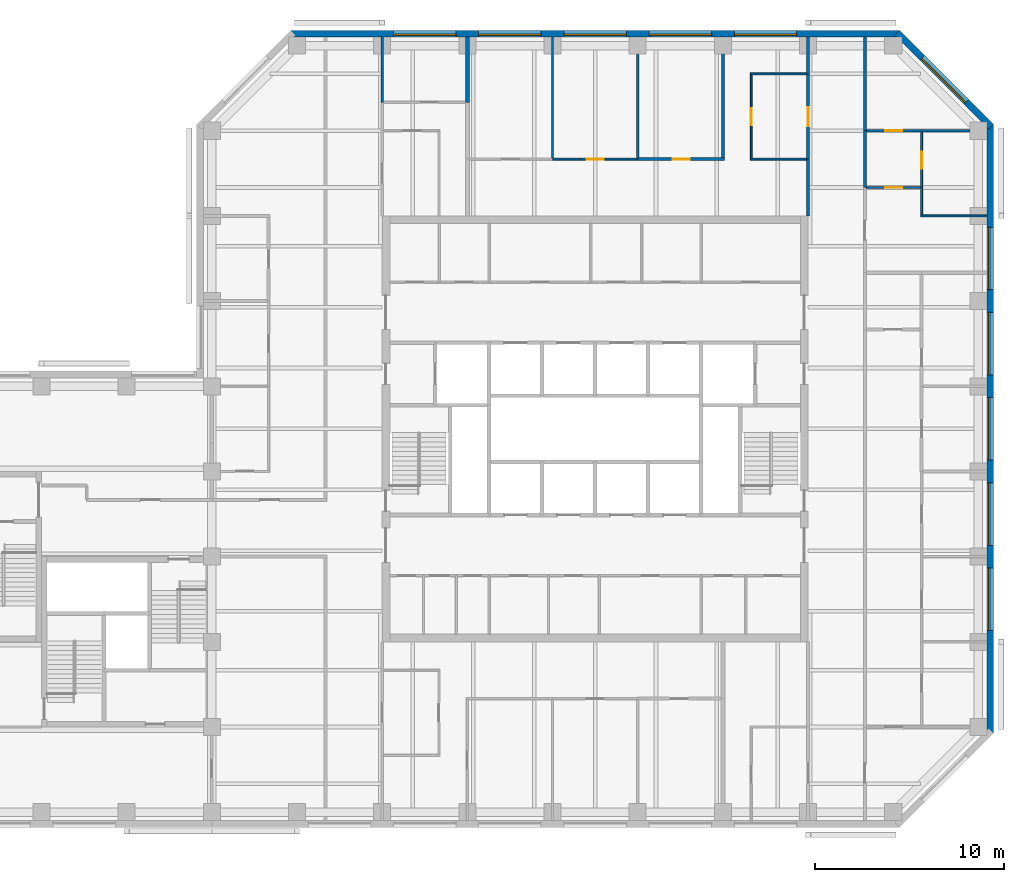
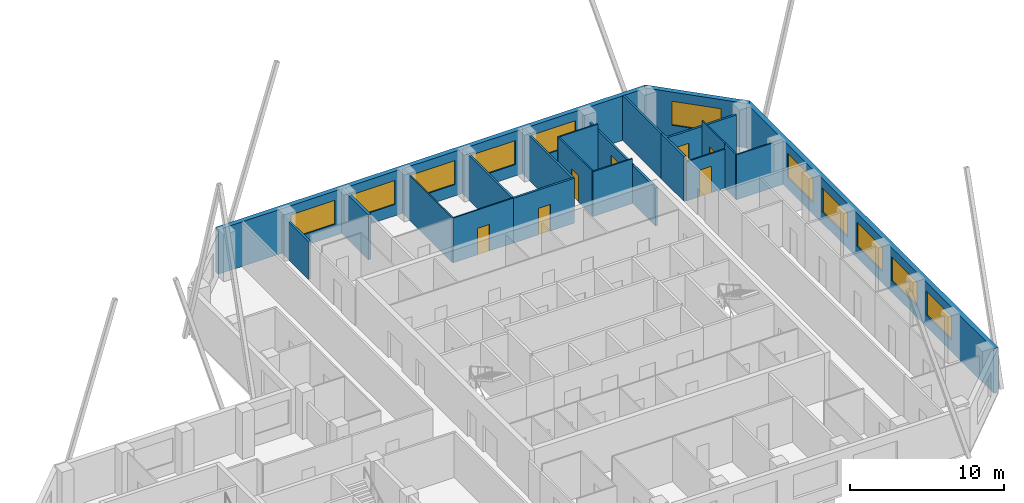
# One storey, part 8 of 10: 24 walls, 11 windows, 7 doors, 18 openings.
"""IFC4 building model written with IfcOpenShell, lengths in metres."""

from ifc_helpers import new_model, si_unit, direction, frame, frame_2d, origin, place, context, subcontext, project, spatial, rectangle, extrude, material, layer, layer_set, constituent, constituent_set, type_object, element, fill, save


model = new_model("IFC4")

# Units and contexts
model_context = context("Model", 3, precision=1e-05, world=origin(), true_north=direction((0.0, 1.0)))
body_context = subcontext(model_context, "Body", "Model", "MODEL_VIEW")
ifc_project = project(units=[si_unit("LENGTHUNIT", "METRE"), si_unit("AREAUNIT", "SQUARE_METRE"), si_unit("VOLUMEUNIT", "CUBIC_METRE"), si_unit("PLANEANGLEUNIT", "RADIAN"), si_unit("MASSUNIT", "GRAM", prefix="KILO")], contexts=[model_context])

# Site, building, storey
site_placement = place(None, origin())
site = spatial("IfcSite", under=ifc_project, at=site_placement, CompositionType="ELEMENT")
building_placement = place(site_placement, origin())
building = spatial("IfcBuilding", under=site, at=building_placement, Name="Quoin Convention Tower", CompositionType="ELEMENT")
storey_placement = place(building_placement, frame((0.0, 0.0, 188.39990234375)))
storey = spatial("IfcBuildingStorey", under=building, at=storey_placement, Name="L49", CompositionType="ELEMENT", Elevation=188.39990234375)

# Wall, opening, door
ifc_material_1 = material(Name="Plasterboard")
ifc_layer_1 = layer(ifc_material_1, 0.012451171875, Name="Finish")
ifc_material_2 = material(Name="Steel stud framing", Category="steel")
ifc_layer_2 = layer(ifc_material_2, 0.125, Name="Structure")
ifc_layer_3 = layer(ifc_material_1, 0.012451171875, Name="Finish")
ifc_layer_set_1 = layer_set([ifc_layer_1, ifc_layer_2, ifc_layer_3], Name="Steel stud framing")
wall_type_1 = type_object("IfcWallType", Name="Acoustic partition 150", PredefinedType="PARTITIONING", material=ifc_layer_set_1)
wall_1_placement = place(storey_placement, frame((58.5, 75.0, 0.0), z_axis=(0.0, 0.0, 1.0), x_axis=(1.0, 0.0, 0.0)))
wall_1 = element("IfcWall", 1, at=wall_1_placement, inside=storey, type_object=wall_type_1, Name="pw-L49-037", PredefinedType="PARTITIONING", context=body_context, shape_type="SweptSolid", body=[
    extrude(rectangle(XDim=4.574951171875, YDim=0.14990234375, at=frame_2d((2.28759765625, 0.0))), origin(), (0.0, 0.0, 1.0), 3.550048828125),
])
opening_1_placement = place(wall_1_placement, frame((1.85009765625, 0.0, 0.0)))
opening_1 = element("IfcOpeningElement", 2, at=opening_1_placement, cuts=wall_1, Name="Opening DOH6-11", PredefinedType="OPENING", context=body_context, shape_type="SweptSolid", body=[
    extrude(rectangle(XDim=0.89990234375, YDim=2.10009765625, at=frame_2d((0.449951171875, 1.050048828125))), frame((0.0, 0.0849609375, 0.0), z_axis=(0.0, -1.0, 0.0), x_axis=(1.0, 0.0, 0.0)), (0.0, 0.0, 1.0), 0.169921875),
])
ifc_material_3 = material(Name="Steel door leaf", Category="steel")
door_type_1 = type_object("IfcDoorType", Name="Office door 900 x 2100", OperationType="SINGLE_SWING_RIGHT", PredefinedType="DOOR", material=ifc_material_3)
door_1_placement = place(opening_1_placement, frame((0.89990234375, 0.0, 0.0), z_axis=(0.0, 0.0, 1.0), x_axis=(-1.0, 0.0, 0.0)))
door_1 = element("IfcDoor", 3, at=door_1_placement, inside=storey, type_object=door_type_1, Name="dr-L49-30", OperationType="SINGLE_SWING_LEFT", OverallHeight=2.10009765625, OverallWidth=0.89990234375, PredefinedType="DOOR", context=body_context, shape_type="SweptSolid", body=[
    extrude(rectangle(XDim=0.89990234375, YDim=2.10009765625, at=frame_2d((0.449951171875, 1.050048828125))), frame((0.0, 0.02490234375, 0.0), z_axis=(0.0, -1.0, 0.0), x_axis=(1.0, 0.0, 0.0)), (0.0, 0.0, 1.0), 0.050048828125),
])
fill(opening_1, door_1)

# Walls
for number, where, z_axis, x_axis, name in (
    (4, (58.5, 75.074951171875, 0.0), (0.0, 0.0, 1.0), (0.0, 1.0, 0.0), "pw-L49-099"),
    (5, (63.0, 75.074951171875, 0.0), (0.0, 0.0, 1.0), (0.0, 1.0, 0.0), "pw-L49-100"),
):
    element("IfcWall", number, at=place(storey_placement, frame(where, z_axis=z_axis, x_axis=x_axis)), inside=storey, type_object=wall_type_1, Name=name, PredefinedType="PARTITIONING", context=body_context, shape_type="SweptSolid", body=[
        extrude(rectangle(XDim=6.375, YDim=0.14990234375, at=frame_2d((3.1875, 0.0))), origin(), (0.0, 0.0, 1.0), 3.550048828125),
    ])

# Wall, opening, door
ifc_layer_4 = layer(ifc_material_1, 0.012451171875, Name="Finish")
ifc_layer_5 = layer(ifc_material_2, 0.125, Name="Structure")
ifc_layer_6 = layer(ifc_material_1, 0.012451171875, Name="Finish")
ifc_layer_set_2 = layer_set([ifc_layer_4, ifc_layer_5, ifc_layer_6], Name="Steel stud framing")
wall_type_2 = type_object("IfcWallType", Name="Acoustic partition 150 under beam 454", PredefinedType="PARTITIONING", material=ifc_layer_set_2)
wall_2_placement = place(storey_placement, frame((70.574951171875, 76.5, 0.0), z_axis=(0.0, 0.0, 1.0), x_axis=(1.0, 0.0, 0.0)))
wall_2 = element("IfcWall", 6, at=wall_2_placement, inside=storey, type_object=wall_type_2, Name="pw-L49-040", PredefinedType="PARTITIONING", context=body_context, shape_type="SweptSolid", body=[
    extrude(rectangle(XDim=2.925048828125, YDim=0.14990234375, at=frame_2d((1.46240234375, 0.0))), origin(), (0.0, 0.0, 1.0), 3.09619140625),
])
opening_2_placement = place(wall_2_placement, frame((1.0, 0.0, 0.0)))
opening_2 = element("IfcOpeningElement", 7, at=opening_2_placement, cuts=wall_2, Name="Opening DOH6-13", PredefinedType="OPENING", context=body_context, shape_type="SweptSolid", body=[
    extrude(rectangle(XDim=0.89990234375, YDim=2.10009765625, at=frame_2d((0.449951171875, 1.050048828125))), frame((0.0, 0.0849609375, 0.0), z_axis=(0.0, -1.0, 0.0), x_axis=(1.0, 0.0, 0.0)), (0.0, 0.0, 1.0), 0.169921875),
])
door_2_placement = place(opening_2_placement, origin())
door_2 = element("IfcDoor", 8, at=door_2_placement, inside=storey, type_object=door_type_1, Name="dr-L49-42", OperationType="SINGLE_SWING_RIGHT", OverallHeight=2.10009765625, OverallWidth=0.89990234375, PredefinedType="DOOR", context=body_context, shape_type="SweptSolid", body=[
    extrude(rectangle(XDim=0.89990234375, YDim=2.10009765625, at=frame_2d((0.449951171875, 1.050048828125))), frame((0.0, 0.02490234375, 0.0), z_axis=(0.0, -1.0, 0.0), x_axis=(1.0, 0.0, 0.0)), (0.0, 0.0, 1.0), 0.050048828125),
])
fill(opening_2, door_2)

# Wall
wall_3_placement = place(storey_placement, frame((73.5, 76.5, 0.0), z_axis=(0.0, 0.0, 1.0), x_axis=(1.0, 0.0, 0.0)))
element("IfcWall", 9, at=wall_3_placement, inside=storey, type_object=wall_type_2, Name="pw-L49-041", PredefinedType="PARTITIONING", context=body_context, shape_type="SweptSolid", body=[
    extrude(rectangle(XDim=2.550048828125, YDim=0.14990234375, at=frame_2d((1.27490234375, 0.0))), origin(), (0.0, 0.0, 1.0), 3.09619140625),
])

# Wall, openings, windows
ifc_material_4 = material(Name="Brick masonry", Category="masonry")
ifc_layer_7 = layer(ifc_material_4, 0.35009765625)
ifc_layer_set_3 = layer_set([ifc_layer_7], Name="Brick masonry")
wall_type_3 = type_object("IfcWallType", Name="Brick facade wall", PredefinedType="STANDARD", material=ifc_layer_set_3)
wall_4_placement = place(storey_placement, frame((77.125, 44.668701171875, 0.0), z_axis=(0.0, 0.0, 1.0), x_axis=(0.0, 1.0, 0.0)))
wall_4 = element("IfcWall", 10, at=wall_4_placement, inside=storey, type_object=wall_type_3, Name="fw-L49-76500_45000", PredefinedType="STANDARD", context=body_context, shape_type="SweptSolid", body=[
    extrude(rectangle(XDim=32.16259765625, YDim=0.35009765625, at=frame_2d((16.081298828125, 0.0))), origin(), (0.0, 0.0, 1.0), 3.525146484375),
])
opening_3_placement = place(wall_4_placement, frame((5.431396484375, 0.0, 0.89990234375)))
opening_3 = element("IfcOpeningElement", 11, at=opening_3_placement, cuts=wall_4, Name="Opening W-02", PredefinedType="OPENING", context=body_context, shape_type="SweptSolid", body=[
    extrude(rectangle(XDim=3.300048828125, YDim=1.89990234375, at=frame_2d((1.64990234375, 0.949951171875))), frame((0.0, 0.18505859375, 0.0), z_axis=(0.0, -1.0, 0.0), x_axis=(1.0, 0.0, 0.0)), (0.0, 0.0, 1.0), 0.3701171875),
])
opening_4_placement = place(wall_4_placement, frame((9.931396484375, 0.0, 0.89990234375)))
opening_4 = element("IfcOpeningElement", 12, at=opening_4_placement, cuts=wall_4, Name="Opening W-02", PredefinedType="OPENING", context=body_context, shape_type="SweptSolid", body=[
    extrude(rectangle(XDim=3.300048828125, YDim=1.89990234375, at=frame_2d((1.64990234375, 0.949951171875))), frame((0.0, 0.18505859375, 0.0), z_axis=(0.0, -1.0, 0.0), x_axis=(1.0, 0.0, 0.0)), (0.0, 0.0, 1.0), 0.3701171875),
])
opening_5_placement = place(wall_4_placement, frame((14.431396484375, 0.0, 0.89990234375)))
opening_5 = element("IfcOpeningElement", 13, at=opening_5_placement, cuts=wall_4, Name="Opening W-02", PredefinedType="OPENING", context=body_context, shape_type="SweptSolid", body=[
    extrude(rectangle(XDim=3.300048828125, YDim=1.89990234375, at=frame_2d((1.64990234375, 0.949951171875))), frame((0.0, 0.18505859375, 0.0), z_axis=(0.0, -1.0, 0.0), x_axis=(1.0, 0.0, 0.0)), (0.0, 0.0, 1.0), 0.3701171875),
])
opening_6_placement = place(wall_4_placement, frame((18.931396484375, 0.0, 0.89990234375)))
opening_6 = element("IfcOpeningElement", 14, at=opening_6_placement, cuts=wall_4, Name="Opening W-02", PredefinedType="OPENING", context=body_context, shape_type="SweptSolid", body=[
    extrude(rectangle(XDim=3.300048828125, YDim=1.89990234375, at=frame_2d((1.64990234375, 0.949951171875))), frame((0.0, 0.18505859375, 0.0), z_axis=(0.0, -1.0, 0.0), x_axis=(1.0, 0.0, 0.0)), (0.0, 0.0, 1.0), 0.3701171875),
])
opening_7_placement = place(wall_4_placement, frame((23.431396484375, 0.0, 0.89990234375)))
opening_7 = element("IfcOpeningElement", 15, at=opening_7_placement, cuts=wall_4, Name="Opening W-02", PredefinedType="OPENING", context=body_context, shape_type="SweptSolid", body=[
    extrude(rectangle(XDim=3.300048828125, YDim=1.89990234375, at=frame_2d((1.64990234375, 0.949951171875))), frame((0.0, 0.18505859375, 0.0), z_axis=(0.0, -1.0, 0.0), x_axis=(1.0, 0.0, 0.0)), (0.0, 0.0, 1.0), 0.3701171875),
])
ifc_material_5 = material(Name="Aluminium", Category="aluminium")
ifc_constituent_1 = constituent(ifc_material_5, Name="Frame")
ifc_material_6 = material(Name="Insulated glass", Category="glass")
ifc_constituent_2 = constituent(ifc_material_6, Name="Glazing")
ifc_constituent_set = constituent_set(constituents=[ifc_constituent_1, ifc_constituent_2], Name="Aluminium")
window_type = type_object("IfcWindowType", Name="Office window", PartitioningType="DOUBLE_PANEL_VERTICAL", PredefinedType="WINDOW", material=ifc_constituent_set)
window_1_placement = place(opening_3_placement, origin())
window_1 = element("IfcWindow", 16, at=window_1_placement, inside=storey, type_object=window_type, Name="win-L49-77125_51750", OverallHeight=1.89990234375, OverallWidth=3.300048828125, PartitioningType="SINGLE_PANEL", PredefinedType="WINDOW", context=body_context, shape_type="SweptSolid", body=[
    extrude(rectangle(XDim=3.300048828125, YDim=1.89990234375, at=frame_2d((1.64990234375, 0.949951171875))), frame((0.0, 0.0849609375, 0.0), z_axis=(0.0, -1.0, 0.0), x_axis=(1.0, 0.0, 0.0)), (0.0, 0.0, 1.0), 0.06005859375),
])
fill(opening_3, window_1)
window_2_placement = place(opening_4_placement, origin())
window_2 = element("IfcWindow", 17, at=window_2_placement, inside=storey, type_object=window_type, Name="win-L49-77125_56250", OverallHeight=1.89990234375, OverallWidth=3.300048828125, PartitioningType="SINGLE_PANEL", PredefinedType="WINDOW", context=body_context, shape_type="SweptSolid", body=[
    extrude(rectangle(XDim=3.300048828125, YDim=1.89990234375, at=frame_2d((1.64990234375, 0.949951171875))), frame((0.0, 0.0849609375, 0.0), z_axis=(0.0, -1.0, 0.0), x_axis=(1.0, 0.0, 0.0)), (0.0, 0.0, 1.0), 0.06005859375),
])
fill(opening_4, window_2)
window_3_placement = place(opening_5_placement, origin())
window_3 = element("IfcWindow", 18, at=window_3_placement, inside=storey, type_object=window_type, Name="win-L49-77125_60750", OverallHeight=1.89990234375, OverallWidth=3.300048828125, PartitioningType="SINGLE_PANEL", PredefinedType="WINDOW", context=body_context, shape_type="SweptSolid", body=[
    extrude(rectangle(XDim=3.300048828125, YDim=1.89990234375, at=frame_2d((1.64990234375, 0.949951171875))), frame((0.0, 0.0849609375, 0.0), z_axis=(0.0, -1.0, 0.0), x_axis=(1.0, 0.0, 0.0)), (0.0, 0.0, 1.0), 0.06005859375),
])
fill(opening_5, window_3)
window_4_placement = place(opening_6_placement, origin())
window_4 = element("IfcWindow", 19, at=window_4_placement, inside=storey, type_object=window_type, Name="win-L49-77125_65250", OverallHeight=1.89990234375, OverallWidth=3.300048828125, PartitioningType="SINGLE_PANEL", PredefinedType="WINDOW", context=body_context, shape_type="SweptSolid", body=[
    extrude(rectangle(XDim=3.300048828125, YDim=1.89990234375, at=frame_2d((1.64990234375, 0.949951171875))), frame((0.0, 0.0849609375, 0.0), z_axis=(0.0, -1.0, 0.0), x_axis=(1.0, 0.0, 0.0)), (0.0, 0.0, 1.0), 0.06005859375),
])
fill(opening_6, window_4)
window_5_placement = place(opening_7_placement, origin())
window_5 = element("IfcWindow", 20, at=window_5_placement, inside=storey, type_object=window_type, Name="win-L49-77125_69750", OverallHeight=1.89990234375, OverallWidth=3.300048828125, PartitioningType="SINGLE_PANEL", PredefinedType="WINDOW", context=body_context, shape_type="SweptSolid", body=[
    extrude(rectangle(XDim=3.300048828125, YDim=1.89990234375, at=frame_2d((1.64990234375, 0.949951171875))), frame((0.0, 0.0849609375, 0.0), z_axis=(0.0, -1.0, 0.0), x_axis=(1.0, 0.0, 0.0)), (0.0, 0.0, 1.0), 0.06005859375),
])
fill(opening_7, window_5)

# Wall, opening, window
wall_5_placement = place(storey_placement, frame((77.17626953125, 76.70751953125, 0.0), z_axis=(0.0, 0.0, 1.0), x_axis=(-0.707106781187, 0.707106781187, 0.0)))
wall_5 = element("IfcWall", 21, at=wall_5_placement, inside=storey, type_object=wall_type_3, Name="fw-L49-76500_76500", PredefinedType="STANDARD", context=body_context, shape_type="SweptSolid", body=[
    extrude(rectangle(XDim=7.02685546875, YDim=0.35009765625, at=frame_2d((3.513427734375, 0.0))), origin(), (0.0, 0.0, 1.0), 3.525146484375),
])
opening_8_placement = place(wall_5_placement, frame((1.86328125, 0.0, 0.89990234375)))
opening_8 = element("IfcOpeningElement", 22, at=opening_8_placement, cuts=wall_5, Name="Opening W-02", PredefinedType="OPENING", context=body_context, shape_type="SweptSolid", body=[
    extrude(rectangle(XDim=3.300048828125, YDim=1.89990234375, at=frame_2d((1.64990234375, 0.949951171875))), frame((0.0, 0.18505859375, 0.0), z_axis=(0.0, -1.0, 0.0), x_axis=(1.0, 0.0, 0.0)), (0.0, 0.0, 1.0), 0.3701171875),
])
window_6_placement = place(opening_8_placement, origin())
window_6 = element("IfcWindow", 23, at=window_6_placement, inside=storey, type_object=window_type, Name="win-L49-74692_79192", OverallHeight=1.89990234375, OverallWidth=3.300048828125, PartitioningType="SINGLE_PANEL", PredefinedType="WINDOW", context=body_context, shape_type="SweptSolid", body=[
    extrude(rectangle(XDim=3.300048828125, YDim=1.89990234375, at=frame_2d((1.64990234375, 0.949951171875))), frame((0.0, 0.0849609375, 0.0), z_axis=(0.0, -1.0, 0.0), x_axis=(1.0, 0.0, 0.0)), (0.0, 0.0, 1.0), 0.06005859375),
])
fill(opening_8, window_6)

# Wall, openings, windows
wall_6_placement = place(storey_placement, frame((72.331298828125, 81.625, 0.0), z_axis=(0.0, 0.0, 1.0), x_axis=(-1.0, 0.0, 0.0)))
wall_6 = element("IfcWall", 24, at=wall_6_placement, inside=storey, type_object=wall_type_3, Name="fw-L49-72000_81000", PredefinedType="STANDARD", context=body_context, shape_type="SweptSolid", body=[
    extrude(rectangle(XDim=32.16259765625, YDim=0.35009765625, at=frame_2d((16.081298828125, 0.0))), origin(), (0.0, 0.0, 1.0), 3.525146484375),
])
opening_9_placement = place(wall_6_placement, frame((5.431396484375, 0.0, 0.89990234375)))
opening_9 = element("IfcOpeningElement", 25, at=opening_9_placement, cuts=wall_6, Name="Opening W-02", PredefinedType="OPENING", context=body_context, shape_type="SweptSolid", body=[
    extrude(rectangle(XDim=3.300048828125, YDim=1.89990234375, at=frame_2d((1.64990234375, 0.949951171875))), frame((0.0, 0.18505859375, 0.0), z_axis=(0.0, -1.0, 0.0), x_axis=(1.0, 0.0, 0.0)), (0.0, 0.0, 1.0), 0.3701171875),
])
opening_10_placement = place(wall_6_placement, frame((9.931396484375, 0.0, 0.89990234375)))
opening_10 = element("IfcOpeningElement", 26, at=opening_10_placement, cuts=wall_6, Name="Opening W-02", PredefinedType="OPENING", context=body_context, shape_type="SweptSolid", body=[
    extrude(rectangle(XDim=3.300048828125, YDim=1.89990234375, at=frame_2d((1.64990234375, 0.949951171875))), frame((0.0, 0.18505859375, 0.0), z_axis=(0.0, -1.0, 0.0), x_axis=(1.0, 0.0, 0.0)), (0.0, 0.0, 1.0), 0.3701171875),
])
opening_11_placement = place(wall_6_placement, frame((14.431396484375, 0.0, 0.89990234375)))
opening_11 = element("IfcOpeningElement", 27, at=opening_11_placement, cuts=wall_6, Name="Opening W-02", PredefinedType="OPENING", context=body_context, shape_type="SweptSolid", body=[
    extrude(rectangle(XDim=3.300048828125, YDim=1.89990234375, at=frame_2d((1.64990234375, 0.949951171875))), frame((0.0, 0.18505859375, 0.0), z_axis=(0.0, -1.0, 0.0), x_axis=(1.0, 0.0, 0.0)), (0.0, 0.0, 1.0), 0.3701171875),
])
opening_12_placement = place(wall_6_placement, frame((18.931396484375, 0.0, 0.89990234375)))
opening_12 = element("IfcOpeningElement", 28, at=opening_12_placement, cuts=wall_6, Name="Opening W-02", PredefinedType="OPENING", context=body_context, shape_type="SweptSolid", body=[
    extrude(rectangle(XDim=3.300048828125, YDim=1.89990234375, at=frame_2d((1.64990234375, 0.949951171875))), frame((0.0, 0.18505859375, 0.0), z_axis=(0.0, -1.0, 0.0), x_axis=(1.0, 0.0, 0.0)), (0.0, 0.0, 1.0), 0.3701171875),
])
opening_13_placement = place(wall_6_placement, frame((23.431396484375, 0.0, 0.89990234375)))
opening_13 = element("IfcOpeningElement", 29, at=opening_13_placement, cuts=wall_6, Name="Opening W-02", PredefinedType="OPENING", context=body_context, shape_type="SweptSolid", body=[
    extrude(rectangle(XDim=3.300048828125, YDim=1.89990234375, at=frame_2d((1.64990234375, 0.949951171875))), frame((0.0, 0.18505859375, 0.0), z_axis=(0.0, -1.0, 0.0), x_axis=(1.0, 0.0, 0.0)), (0.0, 0.0, 1.0), 0.3701171875),
])
window_7_placement = place(opening_9_placement, origin())
window_7 = element("IfcWindow", 30, at=window_7_placement, inside=storey, type_object=window_type, Name="win-L49-65250_81625", OverallHeight=1.89990234375, OverallWidth=3.300048828125, PartitioningType="SINGLE_PANEL", PredefinedType="WINDOW", context=body_context, shape_type="SweptSolid", body=[
    extrude(rectangle(XDim=3.300048828125, YDim=1.89990234375, at=frame_2d((1.64990234375, 0.949951171875))), frame((0.0, 0.0849609375, 0.0), z_axis=(0.0, -1.0, 0.0), x_axis=(1.0, 0.0, 0.0)), (0.0, 0.0, 1.0), 0.06005859375),
])
fill(opening_9, window_7)
window_8_placement = place(opening_10_placement, origin())
window_8 = element("IfcWindow", 31, at=window_8_placement, inside=storey, type_object=window_type, Name="win-L49-60750_81625", OverallHeight=1.89990234375, OverallWidth=3.300048828125, PartitioningType="SINGLE_PANEL", PredefinedType="WINDOW", context=body_context, shape_type="SweptSolid", body=[
    extrude(rectangle(XDim=3.300048828125, YDim=1.89990234375, at=frame_2d((1.64990234375, 0.949951171875))), frame((0.0, 0.0849609375, 0.0), z_axis=(0.0, -1.0, 0.0), x_axis=(1.0, 0.0, 0.0)), (0.0, 0.0, 1.0), 0.06005859375),
])
fill(opening_10, window_8)
window_9_placement = place(opening_11_placement, origin())
window_9 = element("IfcWindow", 32, at=window_9_placement, inside=storey, type_object=window_type, Name="win-L49-56250_81625", OverallHeight=1.89990234375, OverallWidth=3.300048828125, PartitioningType="SINGLE_PANEL", PredefinedType="WINDOW", context=body_context, shape_type="SweptSolid", body=[
    extrude(rectangle(XDim=3.300048828125, YDim=1.89990234375, at=frame_2d((1.64990234375, 0.949951171875))), frame((0.0, 0.0849609375, 0.0), z_axis=(0.0, -1.0, 0.0), x_axis=(1.0, 0.0, 0.0)), (0.0, 0.0, 1.0), 0.06005859375),
])
fill(opening_11, window_9)
window_10_placement = place(opening_12_placement, origin())
window_10 = element("IfcWindow", 33, at=window_10_placement, inside=storey, type_object=window_type, Name="win-L49-51750_81625", OverallHeight=1.89990234375, OverallWidth=3.300048828125, PartitioningType="SINGLE_PANEL", PredefinedType="WINDOW", context=body_context, shape_type="SweptSolid", body=[
    extrude(rectangle(XDim=3.300048828125, YDim=1.89990234375, at=frame_2d((1.64990234375, 0.949951171875))), frame((0.0, 0.0849609375, 0.0), z_axis=(0.0, -1.0, 0.0), x_axis=(1.0, 0.0, 0.0)), (0.0, 0.0, 1.0), 0.06005859375),
])
fill(opening_12, window_10)
window_11_placement = place(opening_13_placement, origin())
window_11 = element("IfcWindow", 34, at=window_11_placement, inside=storey, type_object=window_type, Name="win-L49-47250_81625", OverallHeight=1.89990234375, OverallWidth=3.300048828125, PartitioningType="SINGLE_PANEL", PredefinedType="WINDOW", context=body_context, shape_type="SweptSolid", body=[
    extrude(rectangle(XDim=3.300048828125, YDim=1.89990234375, at=frame_2d((1.64990234375, 0.949951171875))), frame((0.0, 0.0849609375, 0.0), z_axis=(0.0, -1.0, 0.0), x_axis=(1.0, 0.0, 0.0)), (0.0, 0.0, 1.0), 0.06005859375),
])
fill(opening_13, window_11)

# Walls
ifc_layer_8 = layer(ifc_material_1, 0.012451171875, Name="Finish")
ifc_layer_9 = layer(ifc_material_2, 0.125, Name="Structure")
ifc_layer_10 = layer(ifc_material_1, 0.012451171875, Name="Finish")
ifc_layer_set_4 = layer_set([ifc_layer_8, ifc_layer_9, ifc_layer_10], Name="Steel stud framing")
wall_type_4 = type_object("IfcWallType", Name="Corridor wall 150", PredefinedType="PARTITIONING", material=ifc_layer_set_4)
wall_7_placement = place(storey_placement, frame((70.5, 73.5, 0.0), z_axis=(0.0, 0.0, 1.0), x_axis=(0.0, 1.0, 0.0)))
element("IfcWall", 35, at=wall_7_placement, inside=storey, type_object=wall_type_4, Name="pw-L49-093", PredefinedType="PARTITIONING", context=body_context, shape_type="SweptSolid", body=[
    extrude(rectangle(XDim=3.0, YDim=0.14990234375, at=frame_2d((1.5, 0.0))), origin(), (0.0, 0.0, 1.0), 3.550048828125),
])
wall_8_placement = place(storey_placement, frame((70.5, 76.5, 0.0), z_axis=(0.0, 0.0, 1.0), x_axis=(0.0, 1.0, 0.0)))
element("IfcWall", 36, at=wall_8_placement, inside=storey, type_object=wall_type_4, Name="pw-L49-102", PredefinedType="PARTITIONING", context=body_context, shape_type="SweptSolid", body=[
    extrude(rectangle(XDim=4.949951171875, YDim=0.14990234375, at=frame_2d((2.47509765625, 0.0))), origin(), (0.0, 0.0, 1.0), 3.550048828125),
])
ifc_layer_11 = layer(ifc_material_1, 0.012451171875, Name="Finish")
ifc_layer_12 = layer(ifc_material_2, 0.125, Name="Structure")
ifc_layer_13 = layer(ifc_material_1, 0.012451171875, Name="Finish")
ifc_layer_set_5 = layer_set([ifc_layer_11, ifc_layer_12, ifc_layer_13], Name="Steel stud framing")
wall_type_5 = type_object("IfcWallType", Name="Corridor wall 150 under beam 528", PredefinedType="PARTITIONING", material=ifc_layer_set_5)
wall_9_placement = place(storey_placement, frame((67.5, 72.0, 0.0), z_axis=(0.0, 0.0, 1.0), x_axis=(0.0, 1.0, 0.0)))
element("IfcWall", 37, at=wall_9_placement, inside=storey, type_object=wall_type_5, Name="pw-L49-091", PredefinedType="PARTITIONING", context=body_context, shape_type="SweptSolid", body=[
    extrude(rectangle(XDim=3.0, YDim=0.14990234375, at=frame_2d((1.5, 0.0))), origin(), (0.0, 0.0, 1.0), 3.022216796875),
])

# Wall, opening, door
wall_10_placement = place(storey_placement, frame((67.5, 75.0, 0.0), z_axis=(0.0, 0.0, 1.0), x_axis=(0.0, 1.0, 0.0)))
wall_10 = element("IfcWall", 38, at=wall_10_placement, inside=storey, type_object=wall_type_5, Name="pw-L49-096", PredefinedType="PARTITIONING", context=body_context, shape_type="SweptSolid", body=[
    extrude(rectangle(XDim=4.5, YDim=0.14990234375, at=frame_2d((2.25, 0.0))), origin(), (0.0, 0.0, 1.0), 3.022216796875),
])
opening_14_placement = place(wall_10_placement, frame((1.75, 0.0, 0.0)))
opening_14 = element("IfcOpeningElement", 39, at=opening_14_placement, cuts=wall_10, Name="Opening DOH6-32", PredefinedType="OPENING", context=body_context, shape_type="SweptSolid", body=[
    extrude(rectangle(XDim=1.0, YDim=2.10009765625, at=frame_2d((0.5, 1.050048828125))), frame((0.0, 0.0849609375, 0.0), z_axis=(0.0, -1.0, 0.0), x_axis=(1.0, 0.0, 0.0)), (0.0, 0.0, 1.0), 0.169921875),
])
door_type_2 = type_object("IfcDoorType", Name="Tenancy entrance door 1000 x 2100", OperationType="DOUBLE_DOOR_SINGLE_SWING", PredefinedType="DOOR", material=ifc_material_3)
door_3_placement = place(opening_14_placement, origin())
door_3 = element("IfcDoor", 40, at=door_3_placement, inside=storey, type_object=door_type_2, Name="dr-L49-26", OperationType="DOUBLE_DOOR_SINGLE_SWING", OverallHeight=2.10009765625, OverallWidth=1.0, PredefinedType="DOOR", context=body_context, shape_type="SweptSolid", body=[
    extrude(rectangle(XDim=1.0, YDim=2.10009765625, at=frame_2d((0.5, 1.050048828125))), frame((0.0, 0.02490234375, 0.0), z_axis=(0.0, -1.0, 0.0), x_axis=(1.0, 0.0, 0.0)), (0.0, 0.0, 1.0), 0.050048828125),
])
fill(opening_14, door_3)

# Walls
wall_11_placement = place(storey_placement, frame((45.0, 78.0, 0.0), z_axis=(0.0, 0.0, 1.0), x_axis=(0.0, 1.0, 0.0)))
element("IfcWall", 41, at=wall_11_placement, inside=storey, type_object=wall_type_5, Name="pw-L49-103", PredefinedType="PARTITIONING", context=body_context, shape_type="SweptSolid", body=[
    extrude(rectangle(XDim=3.449951171875, YDim=0.14990234375, at=frame_2d((1.72509765625, 0.0))), origin(), (0.0, 0.0, 1.0), 3.022216796875),
])
wall_12_placement = place(storey_placement, frame((67.5, 79.5, 0.0), z_axis=(0.0, 0.0, 1.0), x_axis=(0.0, 1.0, 0.0)))
element("IfcWall", 42, at=wall_12_placement, inside=storey, type_object=wall_type_5, Name="pw-L49-105", PredefinedType="PARTITIONING", context=body_context, shape_type="SweptSolid", body=[
    extrude(rectangle(XDim=1.949951171875, YDim=0.14990234375, at=frame_2d((0.97509765625, 0.0))), origin(), (0.0, 0.0, 1.0), 3.022216796875),
])
ifc_layer_14 = layer(ifc_material_1, 0.012451171875, Name="Finish")
ifc_layer_15 = layer(ifc_material_2, 0.074951171875, Name="Structure")
ifc_layer_16 = layer(ifc_material_1, 0.012451171875, Name="Finish")
ifc_layer_set_6 = layer_set([ifc_layer_14, ifc_layer_15, ifc_layer_16], Name="Steel stud framing")
wall_type_6 = type_object("IfcWallType", Name="Stud partition 100", PredefinedType="PARTITIONING", material=ifc_layer_set_6)
wall_13_placement = place(storey_placement, frame((73.449951171875, 72.0, 0.0), z_axis=(0.0, 0.0, 1.0), x_axis=(1.0, 0.0, 0.0)))
element("IfcWall", 43, at=wall_13_placement, inside=storey, type_object=wall_type_6, Name="pw-L49-033", PredefinedType="PARTITIONING", context=body_context, shape_type="SweptSolid", body=[
    extrude(rectangle(XDim=3.5, YDim=0.10009765625, at=frame_2d((1.75, 0.0))), origin(), (0.0, 0.0, 1.0), 3.550048828125),
])

# Wall, opening, door
wall_14_placement = place(storey_placement, frame((54.0, 75.0, 0.0), z_axis=(0.0, 0.0, 1.0), x_axis=(1.0, 0.0, 0.0)))
wall_14 = element("IfcWall", 44, at=wall_14_placement, inside=storey, type_object=wall_type_6, Name="pw-L49-036", PredefinedType="PARTITIONING", context=body_context, shape_type="SweptSolid", body=[
    extrude(rectangle(XDim=4.5, YDim=0.10009765625, at=frame_2d((2.25, 0.0))), origin(), (0.0, 0.0, 1.0), 3.550048828125),
])
opening_15_placement = place(wall_14_placement, frame((1.800048828125, 0.0, 0.0)))
opening_15 = element("IfcOpeningElement", 45, at=opening_15_placement, cuts=wall_14, Name="Opening DOH6-10", PredefinedType="OPENING", context=body_context, shape_type="SweptSolid", body=[
    extrude(rectangle(XDim=0.89990234375, YDim=2.10009765625, at=frame_2d((0.449951171875, 1.050048828125))), frame((0.0, 0.06005859375, 0.0), z_axis=(0.0, -1.0, 0.0), x_axis=(1.0, 0.0, 0.0)), (0.0, 0.0, 1.0), 0.1201171875),
])
door_4_placement = place(opening_15_placement, frame((0.89990234375, 0.0, 0.0), z_axis=(0.0, 0.0, 1.0), x_axis=(-1.0, 0.0, 0.0)))
door_4 = element("IfcDoor", 46, at=door_4_placement, inside=storey, type_object=door_type_1, Name="dr-L49-29", OperationType="SINGLE_SWING_LEFT", OverallHeight=2.10009765625, OverallWidth=0.89990234375, PredefinedType="DOOR", context=body_context, shape_type="SweptSolid", body=[
    extrude(rectangle(XDim=0.89990234375, YDim=2.10009765625, at=frame_2d((0.449951171875, 1.050048828125))), frame((0.0, 0.02490234375, 0.0), z_axis=(0.0, -1.0, 0.0), x_axis=(1.0, 0.0, 0.0)), (0.0, 0.0, 1.0), 0.050048828125),
])
fill(opening_15, door_4)

# Walls
for number, where, z_axis, x_axis, name in (
    (47, (64.449951171875, 75.0, 0.0), (0.0, 0.0, 1.0), (1.0, 0.0, 0.0), "pw-L49-038"),
    (48, (64.449951171875, 79.5, 0.0), (0.0, 0.0, 1.0), (1.0, 0.0, 0.0), "pw-L49-043"),
):
    element("IfcWall", number, at=place(storey_placement, frame(where, z_axis=z_axis, x_axis=x_axis)), inside=storey, type_object=wall_type_6, Name=name, PredefinedType="PARTITIONING", context=body_context, shape_type="SweptSolid", body=[
        extrude(rectangle(XDim=2.97509765625, YDim=0.10009765625, at=frame_2d((1.487548828125, 0.0))), origin(), (0.0, 0.0, 1.0), 3.550048828125),
    ])
wall_15_placement = place(storey_placement, frame((73.5, 72.050048828125, 0.0), z_axis=(0.0, 0.0, 1.0), x_axis=(0.0, 1.0, 0.0)))
element("IfcWall", 49, at=wall_15_placement, inside=storey, type_object=wall_type_6, Name="pw-L49-092", PredefinedType="PARTITIONING", context=body_context, shape_type="SweptSolid", body=[
    extrude(rectangle(XDim=1.449951171875, YDim=0.10009765625, at=frame_2d((0.72509765625, 0.0))), origin(), (0.0, 0.0, 1.0), 3.550048828125),
])

# Wall, opening, door
wall_16_placement = place(storey_placement, frame((73.5, 73.5, 0.0), z_axis=(0.0, 0.0, 1.0), x_axis=(0.0, 1.0, 0.0)))
wall_16 = element("IfcWall", 50, at=wall_16_placement, inside=storey, type_object=wall_type_6, Name="pw-L49-094", PredefinedType="PARTITIONING", context=body_context, shape_type="SweptSolid", body=[
    extrude(rectangle(XDim=2.925048828125, YDim=0.10009765625, at=frame_2d((1.46240234375, 0.0))), origin(), (0.0, 0.0, 1.0), 3.550048828125),
])
opening_16_placement = place(wall_16_placement, frame((1.0, 0.0, 0.0)))
opening_16 = element("IfcOpeningElement", 51, at=opening_16_placement, cuts=wall_16, Name="Opening DOH6-31", PredefinedType="OPENING", context=body_context, shape_type="SweptSolid", body=[
    extrude(rectangle(XDim=0.89990234375, YDim=2.10009765625, at=frame_2d((0.449951171875, 1.050048828125))), frame((0.0, 0.06005859375, 0.0), z_axis=(0.0, -1.0, 0.0), x_axis=(1.0, 0.0, 0.0)), (0.0, 0.0, 1.0), 0.1201171875),
])
door_5_placement = place(opening_16_placement, frame((0.89990234375, 0.0, 0.0), z_axis=(0.0, 0.0, 1.0), x_axis=(-1.0, 0.0, 0.0)))
door_5 = element("IfcDoor", 52, at=door_5_placement, inside=storey, type_object=door_type_1, Name="dr-L49-41", OperationType="SINGLE_SWING_LEFT", OverallHeight=2.10009765625, OverallWidth=0.89990234375, PredefinedType="DOOR", context=body_context, shape_type="SweptSolid", body=[
    extrude(rectangle(XDim=0.89990234375, YDim=2.10009765625, at=frame_2d((0.449951171875, 1.050048828125))), frame((0.0, 0.02490234375, 0.0), z_axis=(0.0, -1.0, 0.0), x_axis=(1.0, 0.0, 0.0)), (0.0, 0.0, 1.0), 0.050048828125),
])
fill(opening_16, door_5)

# Wall
wall_17_placement = place(storey_placement, frame((54.0, 75.050048828125, 0.0), z_axis=(0.0, 0.0, 1.0), x_axis=(0.0, 1.0, 0.0)))
element("IfcWall", 53, at=wall_17_placement, inside=storey, type_object=wall_type_6, Name="pw-L49-097", PredefinedType="PARTITIONING", context=body_context, shape_type="SweptSolid", body=[
    extrude(rectangle(XDim=6.39990234375, YDim=0.10009765625, at=frame_2d((3.199951171875, 0.0))), origin(), (0.0, 0.0, 1.0), 3.550048828125),
])

# Wall, opening, door
wall_18_placement = place(storey_placement, frame((64.5, 75.050048828125, 0.0), z_axis=(0.0, 0.0, 1.0), x_axis=(0.0, 1.0, 0.0)))
wall_18 = element("IfcWall", 54, at=wall_18_placement, inside=storey, type_object=wall_type_6, Name="pw-L49-098", PredefinedType="PARTITIONING", context=body_context, shape_type="SweptSolid", body=[
    extrude(rectangle(XDim=4.39990234375, YDim=0.10009765625, at=frame_2d((2.199951171875, 0.0))), origin(), (0.0, 0.0, 1.0), 3.550048828125),
])
opening_17_placement = place(wall_18_placement, frame((1.75, 0.0, 0.0)))
opening_17 = element("IfcOpeningElement", 55, at=opening_17_placement, cuts=wall_18, Name="Opening DOH6-33", PredefinedType="OPENING", context=body_context, shape_type="SweptSolid", body=[
    extrude(rectangle(XDim=0.89990234375, YDim=2.10009765625, at=frame_2d((0.449951171875, 1.050048828125))), frame((0.0, 0.06005859375, 0.0), z_axis=(0.0, -1.0, 0.0), x_axis=(1.0, 0.0, 0.0)), (0.0, 0.0, 1.0), 0.1201171875),
])
door_6_placement = place(opening_17_placement, origin())
door_6 = element("IfcDoor", 56, at=door_6_placement, inside=storey, type_object=door_type_1, Name="dr-L49-27", OperationType="SINGLE_SWING_RIGHT", OverallHeight=2.10009765625, OverallWidth=0.89990234375, PredefinedType="DOOR", context=body_context, shape_type="SweptSolid", body=[
    extrude(rectangle(XDim=0.89990234375, YDim=2.10009765625, at=frame_2d((0.449951171875, 1.050048828125))), frame((0.0, 0.02490234375, 0.0), z_axis=(0.0, -1.0, 0.0), x_axis=(1.0, 0.0, 0.0)), (0.0, 0.0, 1.0), 0.050048828125),
])
fill(opening_17, door_6)

ifc_layer_17 = layer(ifc_material_1, 0.012451171875, Name="Finish")
ifc_layer_18 = layer(ifc_material_2, 0.074951171875, Name="Structure")
ifc_layer_19 = layer(ifc_material_1, 0.012451171875, Name="Finish")
ifc_layer_set_7 = layer_set([ifc_layer_17, ifc_layer_18, ifc_layer_19], Name="Steel stud framing")
wall_type_7 = type_object("IfcWallType", Name="Stud partition 100 under beam 454", PredefinedType="PARTITIONING", material=ifc_layer_set_7)
wall_19_placement = place(storey_placement, frame((70.574951171875, 73.5, 0.0), z_axis=(0.0, 0.0, 1.0), x_axis=(1.0, 0.0, 0.0)))
wall_19 = element("IfcWall", 57, at=wall_19_placement, inside=storey, type_object=wall_type_7, Name="pw-L49-034", PredefinedType="PARTITIONING", context=body_context, shape_type="SweptSolid", body=[
    extrude(rectangle(XDim=2.875, YDim=0.10009765625, at=frame_2d((1.4375, 0.0))), origin(), (0.0, 0.0, 1.0), 3.09619140625),
])
opening_18_placement = place(wall_19_placement, frame((1.0, 0.0, 0.0)))
opening_18 = element("IfcOpeningElement", 58, at=opening_18_placement, cuts=wall_19, Name="Opening DOH6-08", PredefinedType="OPENING", context=body_context, shape_type="SweptSolid", body=[
    extrude(rectangle(XDim=0.89990234375, YDim=2.10009765625, at=frame_2d((0.449951171875, 1.050048828125))), frame((0.0, 0.06005859375, 0.0), z_axis=(0.0, -1.0, 0.0), x_axis=(1.0, 0.0, 0.0)), (0.0, 0.0, 1.0), 0.1201171875),
])
door_7_placement = place(opening_18_placement, frame((0.89990234375, 0.0, 0.0), z_axis=(0.0, 0.0, 1.0), x_axis=(-1.0, 0.0, 0.0)))
door_7 = element("IfcDoor", 59, at=door_7_placement, inside=storey, type_object=door_type_1, Name="dr-L49-40", OperationType="SINGLE_SWING_LEFT", OverallHeight=2.10009765625, OverallWidth=0.89990234375, PredefinedType="DOOR", context=body_context, shape_type="SweptSolid", body=[
    extrude(rectangle(XDim=0.89990234375, YDim=2.10009765625, at=frame_2d((0.449951171875, 1.050048828125))), frame((0.0, 0.02490234375, 0.0), z_axis=(0.0, -1.0, 0.0), x_axis=(1.0, 0.0, 0.0)), (0.0, 0.0, 1.0), 0.050048828125),
])
fill(opening_18, door_7)

# Wall
ifc_layer_20 = layer(ifc_material_1, 0.012451171875, Name="Finish")
ifc_layer_21 = layer(ifc_material_2, 0.175048828125, Name="Structure")
ifc_layer_22 = layer(ifc_material_1, 0.012451171875, Name="Finish")
ifc_layer_set_8 = layer_set([ifc_layer_20, ifc_layer_21, ifc_layer_22], Name="Steel stud framing")
wall_type_8 = type_object("IfcWallType", Name="Tenancy demising wall 200", PredefinedType="PARTITIONING", material=ifc_layer_set_8)
wall_20_placement = place(storey_placement, frame((49.5, 78.0, 0.0), z_axis=(0.0, 0.0, 1.0), x_axis=(0.0, 1.0, 0.0)))
element("IfcWall", 60, at=wall_20_placement, inside=storey, type_object=wall_type_8, Name="pw-L49-104", PredefinedType="PARTITIONING", context=body_context, shape_type="SweptSolid", body=[
    extrude(rectangle(XDim=3.449951171875, YDim=0.199951171875, at=frame_2d((1.72509765625, 0.0))), origin(), (0.0, 0.0, 1.0), 3.550048828125),
])

save(model, "model.ifc")
